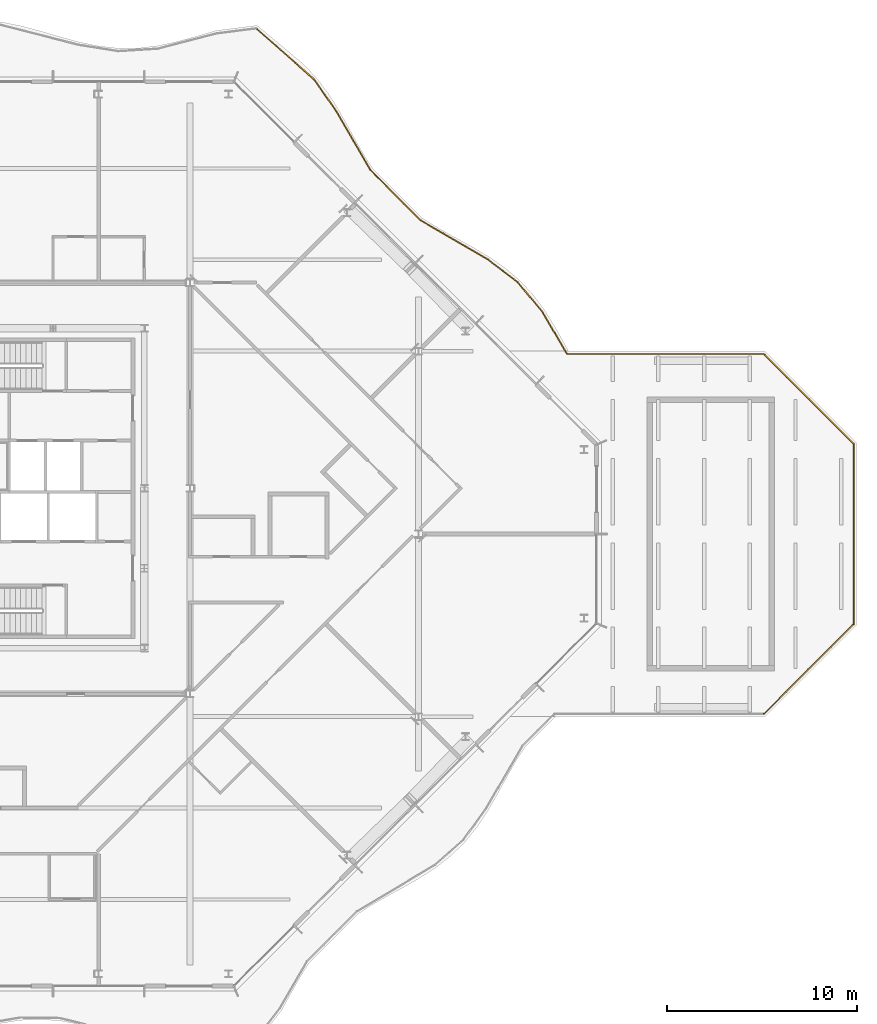
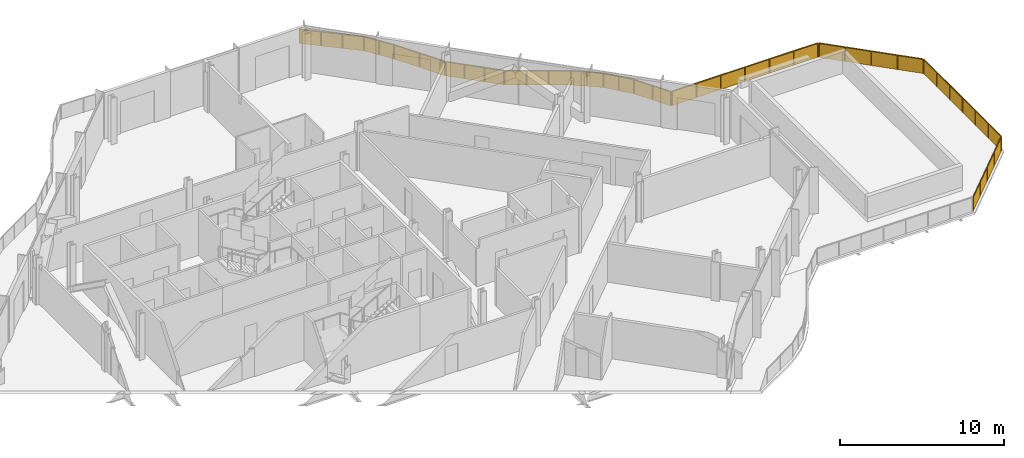
# One storey, part 16 of 16: 5 railings.
"""IFC4 building model written with IfcOpenShell, lengths in metres."""

from ifc_helpers import new_model, si_unit, direction, frame, origin, origin_2d, place, context, subcontext, project, spatial, polyline, rectangle, outline, extrude, material, type_object, element, save


model = new_model("IFC4")

# Units and contexts
model_context = context("Model", 3, precision=1e-05, world=origin(), true_north=direction((0.0, 1.0)))
body_context = subcontext(model_context, "Body", "Model", "MODEL_VIEW")
ifc_project = project(units=[si_unit("LENGTHUNIT", "METRE"), si_unit("AREAUNIT", "SQUARE_METRE"), si_unit("VOLUMEUNIT", "CUBIC_METRE"), si_unit("PLANEANGLEUNIT", "RADIAN"), si_unit("MASSUNIT", "GRAM", prefix="KILO")], contexts=[model_context])

# Site, building, storey
site_placement = place(None, origin())
site = spatial("IfcSite", under=ifc_project, at=site_placement, CompositionType="ELEMENT")
building_placement = place(site_placement, origin())
building = spatial("IfcBuilding", under=site, at=building_placement, Name="Cairn Pilgrim Tower", CompositionType="ELEMENT")
storey_placement = place(building_placement, frame((0.0, 0.0, 267.0)))
storey = spatial("IfcBuildingStorey", under=building, at=storey_placement, Name="L68", CompositionType="ELEMENT", Elevation=267.0)

# Railings
ifc_material = material(Name="Bronze anodised aluminium rail and posts with laminated glass infill", Category="aluminium")
railing_type = type_object("IfcRailingType", Name="BALCONY GUARD 1100", PredefinedType="GUARDRAIL", material=ifc_material)
railing_1_placement = place(storey_placement, frame((54.050048828125, 4.73779296875, 0.0)))
element("IfcRailing", 1, at=railing_1_placement, inside=storey, type_object=railing_type, Name="Balcony guard BG-1", PredefinedType="GUARDRAIL", context=body_context, shape_type="SweptSolid", body=[
    extrude(rectangle(XDim=0.050048828125, YDim=0.050048828125, at=origin_2d()), frame((0.0, 0.0, 1.0751953125), z_axis=(-0.707106781187, 0.707106781187, 0.0), x_axis=(-0.707106781187, -0.707106781187, 0.0)), (0.0, 0.0, 1.0), 6.60400390625),
    extrude(rectangle(XDim=0.050048828125, YDim=0.050048828125, at=origin_2d()), origin(), (0.0, 0.0, 1.0), 1.050048828125),
    extrude(rectangle(XDim=0.050048828125, YDim=0.050048828125, at=origin_2d()), frame((-1.16748046875, 1.16748046875, 0.0)), (0.0, 0.0, 1.0), 1.050048828125),
    extrude(rectangle(XDim=0.050048828125, YDim=0.050048828125, at=origin_2d()), frame((-2.3349609375, 2.3349609375, 0.0)), (0.0, 0.0, 1.0), 1.050048828125),
    extrude(rectangle(XDim=0.050048828125, YDim=0.050048828125, at=origin_2d()), frame((-3.502197265625, 3.502197265625, 0.0)), (0.0, 0.0, 1.0), 1.050048828125),
    extrude(rectangle(XDim=0.050048828125, YDim=0.050048828125, at=origin_2d()), frame((-4.669677734375, 4.669677734375, 0.0)), (0.0, 0.0, 1.0), 1.050048828125),
    extrude(outline(polyline([(0.02490234375, 0.0), (1.6259765625, 0.0), (1.6259765625, 1.050048828125), (0.02490234375, 1.050048828125), (0.02490234375, 0.0)])), frame((-0.004150390625, -0.004150390625, 0.0), z_axis=(0.707106781187, 0.707106781187, 0.0), x_axis=(-0.707106781187, 0.707106781187, 0.0)), (0.0, 0.0, 1.0), 0.011962890625),
    extrude(outline(polyline([(0.02490234375, 0.0), (1.6259765625, 0.0), (1.6259765625, 1.050048828125), (0.02490234375, 1.050048828125), (0.02490234375, 0.0)])), frame((-1.171630859375, 1.1630859375, 0.0), z_axis=(0.707106781187, 0.707106781187, 0.0), x_axis=(-0.707106781187, 0.707106781187, 0.0)), (0.0, 0.0, 1.0), 0.011962890625),
    extrude(outline(polyline([(0.02490234375, 0.0), (1.6259765625, 0.0), (1.6259765625, 1.050048828125), (0.02490234375, 1.050048828125), (0.02490234375, 0.0)])), frame((-2.339111328125, 2.33056640625, 0.0), z_axis=(0.707106781187, 0.707106781187, 0.0), x_axis=(-0.707106781187, 0.707106781187, 0.0)), (0.0, 0.0, 1.0), 0.011962890625),
    extrude(outline(polyline([(0.02490234375, 0.0), (1.6259765625, 0.0), (1.6259765625, 1.050048828125), (0.02490234375, 1.050048828125), (0.02490234375, 0.0)])), frame((-3.506591796875, 3.498046875, 0.0), z_axis=(0.707106781187, 0.707106781187, 0.0), x_axis=(-0.707106781187, 0.707106781187, 0.0)), (0.0, 0.0, 1.0), 0.011962890625),
])
railing_2_placement = place(storey_placement, frame((49.337890625, 9.449951171875, 0.0)))
element("IfcRailing", 2, at=railing_2_placement, inside=storey, type_object=railing_type, Name="Balcony guard BG-2", PredefinedType="GUARDRAIL", context=body_context, shape_type="SweptSolid", body=[
    extrude(rectangle(XDim=0.050048828125, YDim=0.050048828125, at=origin_2d()), frame((0.0, 0.0, 1.0751953125), z_axis=(-1.0, 0.0, 0.0), x_axis=(0.0, -1.0, 0.0)), (0.0, 0.0, 1.0), 10.279541015625),
    extrude(rectangle(XDim=0.050048828125, YDim=0.050048828125, at=origin_2d()), origin(), (0.0, 0.0, 1.0), 1.050048828125),
    extrude(rectangle(XDim=0.050048828125, YDim=0.050048828125, at=origin_2d()), frame((-1.71337890625, 0.0, 0.0)), (0.0, 0.0, 1.0), 1.050048828125),
    extrude(rectangle(XDim=0.050048828125, YDim=0.050048828125, at=origin_2d()), frame((-3.426513671875, 0.0, 0.0)), (0.0, 0.0, 1.0), 1.050048828125),
    extrude(rectangle(XDim=0.050048828125, YDim=0.050048828125, at=origin_2d()), frame((-5.1396484375, 0.0, 0.0)), (0.0, 0.0, 1.0), 1.050048828125),
    extrude(rectangle(XDim=0.050048828125, YDim=0.050048828125, at=origin_2d()), frame((-6.85302734375, 0.0, 0.0)), (0.0, 0.0, 1.0), 1.050048828125),
    extrude(rectangle(XDim=0.050048828125, YDim=0.050048828125, at=origin_2d()), frame((-8.56640625, 0.0, 0.0)), (0.0, 0.0, 1.0), 1.050048828125),
    extrude(rectangle(XDim=0.050048828125, YDim=0.050048828125, at=origin_2d()), frame((-10.279541015625, 0.0, 0.0)), (0.0, 0.0, 1.0), 1.050048828125),
    extrude(outline(polyline([(0.02490234375, 0.0), (1.688232421875, 0.0), (1.688232421875, 1.050048828125), (0.02490234375, 1.050048828125), (0.02490234375, 0.0)])), frame((0.0, -0.005859375, 0.0), z_axis=(0.0, 1.0, 0.0), x_axis=(-1.0, 0.0, 0.0)), (0.0, 0.0, 1.0), 0.011962890625),
    extrude(outline(polyline([(0.02490234375, 0.0), (1.688232421875, 0.0), (1.688232421875, 1.050048828125), (0.02490234375, 1.050048828125), (0.02490234375, 0.0)])), frame((-1.71337890625, -0.005859375, 0.0), z_axis=(0.0, 1.0, 0.0), x_axis=(-1.0, 0.0, 0.0)), (0.0, 0.0, 1.0), 0.011962890625),
    extrude(outline(polyline([(0.02490234375, 0.0), (1.688232421875, 0.0), (1.688232421875, 1.050048828125), (0.02490234375, 1.050048828125), (0.02490234375, 0.0)])), frame((-3.426513671875, -0.005859375, 0.0), z_axis=(0.0, 1.0, 0.0), x_axis=(-1.0, 0.0, 0.0)), (0.0, 0.0, 1.0), 0.011962890625),
    extrude(outline(polyline([(0.02490234375, 0.0), (1.688232421875, 0.0), (1.688232421875, 1.050048828125), (0.02490234375, 1.050048828125), (0.02490234375, 0.0)])), frame((-5.1396484375, -0.005859375, 0.0), z_axis=(0.0, 1.0, 0.0), x_axis=(-1.0, 0.0, 0.0)), (0.0, 0.0, 1.0), 0.011962890625),
    extrude(outline(polyline([(0.02490234375, 0.0), (1.688232421875, 0.0), (1.688232421875, 1.050048828125), (0.02490234375, 1.050048828125), (0.02490234375, 0.0)])), frame((-6.85302734375, -0.005859375, 0.0), z_axis=(0.0, 1.0, 0.0), x_axis=(-1.0, 0.0, 0.0)), (0.0, 0.0, 1.0), 0.011962890625),
    extrude(outline(polyline([(0.02490234375, 0.0), (1.688232421875, 0.0), (1.688232421875, 1.050048828125), (0.02490234375, 1.050048828125), (0.02490234375, 0.0)])), frame((-8.56640625, -0.005859375, 0.0), z_axis=(0.0, 1.0, 0.0), x_axis=(-1.0, 0.0, 0.0)), (0.0, 0.0, 1.0), 0.011962890625),
])
railing_3_placement = place(storey_placement, frame((38.99853515625, 9.449951171875, 0.0)))
element("IfcRailing", 3, at=railing_3_placement, inside=storey, type_object=railing_type, Name="Balcony guard BG-3", PredefinedType="GUARDRAIL", context=body_context, shape_type="SweptSolid", body=[
    extrude(rectangle(XDim=0.050048828125, YDim=0.050048828125, at=origin_2d()), frame((0.0, 0.0, 1.0751953125), z_axis=(-0.504668465942, 0.863313233701, 0.0), x_axis=(-0.863313233701, -0.504668465942, 0.0)), (0.0, 0.0, 1.0), 2.588134765625),
    extrude(rectangle(XDim=0.050048828125, YDim=0.050048828125, at=origin_2d()), frame((-1.30615234375, 2.234375, 1.0751953125), z_axis=(-0.641703489204, 0.766952822501, 0.0), x_axis=(-0.766952822501, -0.641703489204, 0.0)), (0.0, 0.0, 1.0), 1.990234375),
    extrude(rectangle(XDim=0.050048828125, YDim=0.050048828125, at=origin_2d()), frame((-2.583251953125, 3.7607421875, 1.0751953125), z_axis=(-0.793086058084, 0.609109599721, 0.0), x_axis=(-0.609109599721, -0.793086058084, 0.0)), (0.0, 0.0, 1.0), 2.00244140625),
    extrude(rectangle(XDim=0.050048828125, YDim=0.050048828125, at=origin_2d()), frame((-4.17138671875, 4.98046875, 1.0751953125), z_axis=(-0.864563090985, 0.502524289668, 0.0), x_axis=(-0.502524289668, -0.864563090985, 0.0)), (0.0, 0.0, 1.0), 4.0595703125),
    extrude(rectangle(XDim=0.050048828125, YDim=0.050048828125, at=origin_2d()), frame((-7.68115234375, 7.0205078125, 1.0751953125), z_axis=(-0.707106781187, 0.707106781187, 0.0), x_axis=(-0.707106781187, -0.707106781187, 0.0)), (0.0, 0.0, 1.0), 3.74267578125),
    extrude(rectangle(XDim=0.050048828125, YDim=0.050048828125, at=origin_2d()), frame((-10.32763671875, 9.6669921875, 1.0751953125), z_axis=(-0.502155279493, 0.864777471536, 0.0), x_axis=(-0.864777471536, -0.502155279493, 0.0)), (0.0, 0.0, 1.0), 3.576416015625),
    extrude(rectangle(XDim=0.050048828125, YDim=0.050048828125, at=origin_2d()), frame((-12.12353515625, 12.759765625, 1.0751953125), z_axis=(-0.571383257002, 0.820683357708, 0.0), x_axis=(-0.820683357708, -0.571383257002, 0.0)), (0.0, 0.0, 1.0), 2.019287109375),
    extrude(rectangle(XDim=0.050048828125, YDim=0.050048828125, at=origin_2d()), frame((-13.27734375, 14.4169921875, 1.0751953125), z_axis=(-0.749682987935, 0.661797112112, 0.0), x_axis=(-0.661797112112, -0.749682987935, 0.0)), (0.0, 0.0, 1.0), 4.0029296875),
    extrude(rectangle(XDim=0.050048828125, YDim=0.050048828125, at=origin_2d()), origin(), (0.0, 0.0, 1.0), 1.050048828125),
    extrude(rectangle(XDim=0.050048828125, YDim=0.050048828125, at=origin_2d()), frame((-0.653076171875, 1.1171875, 0.0)), (0.0, 0.0, 1.0), 1.050048828125),
    extrude(rectangle(XDim=0.050048828125, YDim=0.050048828125, at=origin_2d()), frame((-1.30615234375, 2.234375, 0.0)), (0.0, 0.0, 1.0), 1.050048828125),
    extrude(rectangle(XDim=0.050048828125, YDim=0.050048828125, at=origin_2d()), frame((-1.94482421875, 2.99755859375, 0.0)), (0.0, 0.0, 1.0), 1.050048828125),
    extrude(rectangle(XDim=0.050048828125, YDim=0.050048828125, at=origin_2d()), frame((-2.583251953125, 3.7607421875, 0.0)), (0.0, 0.0, 1.0), 1.050048828125),
    extrude(rectangle(XDim=0.050048828125, YDim=0.050048828125, at=origin_2d()), frame((-3.37744140625, 4.37060546875, 0.0)), (0.0, 0.0, 1.0), 1.050048828125),
    extrude(rectangle(XDim=0.050048828125, YDim=0.050048828125, at=origin_2d()), frame((-4.17138671875, 4.98046875, 0.0)), (0.0, 0.0, 1.0), 1.050048828125),
    extrude(rectangle(XDim=0.050048828125, YDim=0.050048828125, at=origin_2d()), frame((-5.34130859375, 5.660400390625, 0.0)), (0.0, 0.0, 1.0), 1.050048828125),
    extrude(rectangle(XDim=0.050048828125, YDim=0.050048828125, at=origin_2d()), frame((-6.51123046875, 6.340576171875, 0.0)), (0.0, 0.0, 1.0), 1.050048828125),
    extrude(rectangle(XDim=0.050048828125, YDim=0.050048828125, at=origin_2d()), frame((-7.68115234375, 7.0205078125, 0.0)), (0.0, 0.0, 1.0), 1.050048828125),
    extrude(rectangle(XDim=0.050048828125, YDim=0.050048828125, at=origin_2d()), frame((-8.563232421875, 7.902587890625, 0.0)), (0.0, 0.0, 1.0), 1.050048828125),
    extrude(rectangle(XDim=0.050048828125, YDim=0.050048828125, at=origin_2d()), frame((-9.445556640625, 8.784912109375, 0.0)), (0.0, 0.0, 1.0), 1.050048828125),
    extrude(rectangle(XDim=0.050048828125, YDim=0.050048828125, at=origin_2d()), frame((-10.32763671875, 9.6669921875, 0.0)), (0.0, 0.0, 1.0), 1.050048828125),
    extrude(rectangle(XDim=0.050048828125, YDim=0.050048828125, at=origin_2d()), frame((-11.2255859375, 11.21337890625, 0.0)), (0.0, 0.0, 1.0), 1.050048828125),
    extrude(rectangle(XDim=0.050048828125, YDim=0.050048828125, at=origin_2d()), frame((-12.12353515625, 12.759765625, 0.0)), (0.0, 0.0, 1.0), 1.050048828125),
    extrude(rectangle(XDim=0.050048828125, YDim=0.050048828125, at=origin_2d()), frame((-12.700439453125, 13.58837890625, 0.0)), (0.0, 0.0, 1.0), 1.050048828125),
    extrude(rectangle(XDim=0.050048828125, YDim=0.050048828125, at=origin_2d()), frame((-13.27734375, 14.4169921875, 0.0)), (0.0, 0.0, 1.0), 1.050048828125),
    extrude(rectangle(XDim=0.050048828125, YDim=0.050048828125, at=origin_2d()), frame((-14.277587890625, 15.300048828125, 0.0)), (0.0, 0.0, 1.0), 1.050048828125),
    extrude(rectangle(XDim=0.050048828125, YDim=0.050048828125, at=origin_2d()), frame((-15.278076171875, 16.18310546875, 0.0)), (0.0, 0.0, 1.0), 1.050048828125),
    extrude(rectangle(XDim=0.050048828125, YDim=0.050048828125, at=origin_2d()), frame((-16.2783203125, 17.066162109375, 0.0)), (0.0, 0.0, 1.0), 1.050048828125),
    extrude(outline(polyline([(0.02490234375, 0.0), (1.26904296875, 0.0), (1.26904296875, 1.050048828125), (0.02490234375, 1.050048828125), (0.02490234375, 0.0)])), frame((-0.005126953125, -0.0029296875, 0.0), z_axis=(0.863313233701, 0.504668465942, 0.0), x_axis=(-0.504668465942, 0.863313233701, 0.0)), (0.0, 0.0, 1.0), 0.011962890625),
    extrude(outline(polyline([(0.02490234375, 0.0), (1.26904296875, 0.0), (1.26904296875, 1.050048828125), (0.02490234375, 1.050048828125), (0.02490234375, 0.0)])), frame((-0.658203125, 1.1142578125, 0.0), z_axis=(0.863313233701, 0.504668465942, 0.0), x_axis=(-0.504668465942, 0.863313233701, 0.0)), (0.0, 0.0, 1.0), 0.011962890625),
    extrude(outline(polyline([(0.02490234375, 0.0), (0.969970703125, 0.0), (0.969970703125, 1.050048828125), (0.02490234375, 1.050048828125), (0.02490234375, 0.0)])), frame((-1.310791015625, 2.23046875, 0.0), z_axis=(0.766952822501, 0.641703489204, 0.0), x_axis=(-0.641703489204, 0.766952822501, 0.0)), (0.0, 0.0, 1.0), 0.011962890625),
    extrude(outline(polyline([(0.02490234375, 0.0), (0.969970703125, 0.0), (0.969970703125, 1.050048828125), (0.02490234375, 1.050048828125), (0.02490234375, 0.0)])), frame((-1.94921875, 2.99365234375, 0.0), z_axis=(0.766952822501, 0.641703489204, 0.0), x_axis=(-0.641703489204, 0.766952822501, 0.0)), (0.0, 0.0, 1.0), 0.011962890625),
    extrude(outline(polyline([(0.02490234375, 0.0), (0.976318359375, 0.0), (0.976318359375, 1.050048828125), (0.02490234375, 1.050048828125), (0.02490234375, 0.0)])), frame((-2.5869140625, 3.756103515625, 0.0), z_axis=(0.609109599721, 0.793086058084, 0.0), x_axis=(-0.793086058084, 0.609109599721, 0.0)), (0.0, 0.0, 1.0), 0.011962890625),
    extrude(outline(polyline([(0.02490234375, 0.0), (0.976318359375, 0.0), (0.976318359375, 1.050048828125), (0.02490234375, 1.050048828125), (0.02490234375, 0.0)])), frame((-3.380859375, 4.365966796875, 0.0), z_axis=(0.609109599721, 0.793086058084, 0.0), x_axis=(-0.793086058084, 0.609109599721, 0.0)), (0.0, 0.0, 1.0), 0.011962890625),
    extrude(outline(polyline([(0.02490234375, 0.0), (1.328125, 0.0), (1.328125, 1.050048828125), (0.02490234375, 1.050048828125), (0.02490234375, 0.0)])), frame((-4.17431640625, 4.975341796875, 0.0), z_axis=(0.502524289668, 0.864563090985, 0.0), x_axis=(-0.864563090985, 0.502524289668, 0.0)), (0.0, 0.0, 1.0), 0.011962890625),
    extrude(outline(polyline([(0.02490234375, 0.0), (1.328125, 0.0), (1.328125, 1.050048828125), (0.02490234375, 1.050048828125), (0.02490234375, 0.0)])), frame((-5.34423828125, 5.6552734375, 0.0), z_axis=(0.502524289668, 0.864563090985, 0.0), x_axis=(-0.864563090985, 0.502524289668, 0.0)), (0.0, 0.0, 1.0), 0.011962890625),
    extrude(outline(polyline([(0.02490234375, 0.0), (1.328125, 0.0), (1.328125, 1.050048828125), (0.02490234375, 1.050048828125), (0.02490234375, 0.0)])), frame((-6.51416015625, 6.335205078125, 0.0), z_axis=(0.502524289668, 0.864563090985, 0.0), x_axis=(-0.864563090985, 0.502524289668, 0.0)), (0.0, 0.0, 1.0), 0.011962890625),
    extrude(outline(polyline([(0.02490234375, 0.0), (1.22265625, 0.0), (1.22265625, 1.050048828125), (0.02490234375, 1.050048828125), (0.02490234375, 0.0)])), frame((-7.685302734375, 7.016357421875, 0.0), z_axis=(0.707106781187, 0.707106781187, 0.0), x_axis=(-0.707106781187, 0.707106781187, 0.0)), (0.0, 0.0, 1.0), 0.011962890625),
    extrude(outline(polyline([(0.02490234375, 0.0), (1.22265625, 0.0), (1.22265625, 1.050048828125), (0.02490234375, 1.050048828125), (0.02490234375, 0.0)])), frame((-8.567626953125, 7.8984375, 0.0), z_axis=(0.707106781187, 0.707106781187, 0.0), x_axis=(-0.707106781187, 0.707106781187, 0.0)), (0.0, 0.0, 1.0), 0.011962890625),
    extrude(outline(polyline([(0.02490234375, 0.0), (1.22265625, 0.0), (1.22265625, 1.050048828125), (0.02490234375, 1.050048828125), (0.02490234375, 0.0)])), frame((-9.44970703125, 8.780517578125, 0.0), z_axis=(0.707106781187, 0.707106781187, 0.0), x_axis=(-0.707106781187, 0.707106781187, 0.0)), (0.0, 0.0, 1.0), 0.011962890625),
    extrude(outline(polyline([(0.02490234375, 0.0), (1.76318359375, 0.0), (1.76318359375, 1.050048828125), (0.02490234375, 1.050048828125), (0.02490234375, 0.0)])), frame((-10.332763671875, 9.6640625, 0.0), z_axis=(0.864777471536, 0.502155279493, 0.0), x_axis=(-0.502155279493, 0.864777471536, 0.0)), (0.0, 0.0, 1.0), 0.011962890625),
    extrude(outline(polyline([(0.02490234375, 0.0), (1.76318359375, 0.0), (1.76318359375, 1.050048828125), (0.02490234375, 1.050048828125), (0.02490234375, 0.0)])), frame((-11.230712890625, 11.21044921875, 0.0), z_axis=(0.864777471536, 0.502155279493, 0.0), x_axis=(-0.502155279493, 0.864777471536, 0.0)), (0.0, 0.0, 1.0), 0.011962890625),
    extrude(outline(polyline([(0.02490234375, 0.0), (0.984619140625, 0.0), (0.984619140625, 1.050048828125), (0.02490234375, 1.050048828125), (0.02490234375, 0.0)])), frame((-12.12841796875, 12.75634765625, 0.0), z_axis=(0.820683357708, 0.571383257002, 0.0), x_axis=(-0.571383257002, 0.820683357708, 0.0)), (0.0, 0.0, 1.0), 0.011962890625),
    extrude(outline(polyline([(0.02490234375, 0.0), (0.984619140625, 0.0), (0.984619140625, 1.050048828125), (0.02490234375, 1.050048828125), (0.02490234375, 0.0)])), frame((-12.705322265625, 13.5849609375, 0.0), z_axis=(0.820683357708, 0.571383257002, 0.0), x_axis=(-0.571383257002, 0.820683357708, 0.0)), (0.0, 0.0, 1.0), 0.011962890625),
    extrude(outline(polyline([(0.02490234375, 0.0), (1.309326171875, 0.0), (1.309326171875, 1.050048828125), (0.02490234375, 1.050048828125), (0.02490234375, 0.0)])), frame((-13.28125, 14.41259765625, 0.0), z_axis=(0.661797112112, 0.749682987935, 0.0), x_axis=(-0.749682987935, 0.661797112112, 0.0)), (0.0, 0.0, 1.0), 0.011962890625),
    extrude(outline(polyline([(0.02490234375, 0.0), (1.309326171875, 0.0), (1.309326171875, 1.050048828125), (0.02490234375, 1.050048828125), (0.02490234375, 0.0)])), frame((-14.28173828125, 15.295654296875, 0.0), z_axis=(0.661797112112, 0.749682987935, 0.0), x_axis=(-0.749682987935, 0.661797112112, 0.0)), (0.0, 0.0, 1.0), 0.011962890625),
    extrude(outline(polyline([(0.02490234375, 0.0), (1.309326171875, 0.0), (1.309326171875, 1.050048828125), (0.02490234375, 1.050048828125), (0.02490234375, 0.0)])), frame((-15.281982421875, 16.1787109375, 0.0), z_axis=(0.661797112112, 0.749682987935, 0.0), x_axis=(-0.749682987935, 0.661797112112, 0.0)), (0.0, 0.0, 1.0), 0.011962890625),
])
railing_4_placement = place(storey_placement, frame((49.337890625, -9.449951171875, 0.0)))
element("IfcRailing", 4, at=railing_4_placement, inside=storey, type_object=railing_type, Name="Balcony guard BG-14", PredefinedType="GUARDRAIL", context=body_context, shape_type="SweptSolid", body=[
    extrude(rectangle(XDim=0.050048828125, YDim=0.050048828125, at=origin_2d()), frame((0.0, 0.0, 1.0751953125), z_axis=(0.707106781187, 0.707106781187, 0.0), x_axis=(-0.707106781187, 0.707106781187, 0.0)), (0.0, 0.0, 1.0), 6.60400390625),
    extrude(rectangle(XDim=0.050048828125, YDim=0.050048828125, at=origin_2d()), origin(), (0.0, 0.0, 1.0), 1.050048828125),
    extrude(rectangle(XDim=0.050048828125, YDim=0.050048828125, at=origin_2d()), frame((1.16748046875, 1.16748046875, 0.0)), (0.0, 0.0, 1.0), 1.050048828125),
    extrude(rectangle(XDim=0.050048828125, YDim=0.050048828125, at=origin_2d()), frame((2.3349609375, 2.3349609375, 0.0)), (0.0, 0.0, 1.0), 1.050048828125),
    extrude(rectangle(XDim=0.050048828125, YDim=0.050048828125, at=origin_2d()), frame((3.502197265625, 3.502197265625, 0.0)), (0.0, 0.0, 1.0), 1.050048828125),
    extrude(rectangle(XDim=0.050048828125, YDim=0.050048828125, at=origin_2d()), frame((4.669677734375, 4.669677734375, 0.0)), (0.0, 0.0, 1.0), 1.050048828125),
    extrude(outline(polyline([(0.02490234375, 0.0), (1.6259765625, 0.0), (1.6259765625, 1.050048828125), (0.02490234375, 1.050048828125), (0.02490234375, 0.0)])), frame((-0.004150390625, 0.004150390625, 0.0), z_axis=(0.707106781187, -0.707106781187, 0.0), x_axis=(0.707106781187, 0.707106781187, 0.0)), (0.0, 0.0, 1.0), 0.011962890625),
    extrude(outline(polyline([(0.02490234375, 0.0), (1.6259765625, 0.0), (1.6259765625, 1.050048828125), (0.02490234375, 1.050048828125), (0.02490234375, 0.0)])), frame((1.1630859375, 1.171630859375, 0.0), z_axis=(0.707106781187, -0.707106781187, 0.0), x_axis=(0.707106781187, 0.707106781187, 0.0)), (0.0, 0.0, 1.0), 0.011962890625),
    extrude(outline(polyline([(0.02490234375, 0.0), (1.6259765625, 0.0), (1.6259765625, 1.050048828125), (0.02490234375, 1.050048828125), (0.02490234375, 0.0)])), frame((2.33056640625, 2.339111328125, 0.0), z_axis=(0.707106781187, -0.707106781187, 0.0), x_axis=(0.707106781187, 0.707106781187, 0.0)), (0.0, 0.0, 1.0), 0.011962890625),
    extrude(outline(polyline([(0.02490234375, 0.0), (1.6259765625, 0.0), (1.6259765625, 1.050048828125), (0.02490234375, 1.050048828125), (0.02490234375, 0.0)])), frame((3.498046875, 3.506591796875, 0.0), z_axis=(0.707106781187, -0.707106781187, 0.0), x_axis=(0.707106781187, 0.707106781187, 0.0)), (0.0, 0.0, 1.0), 0.011962890625),
])
railing_5_placement = place(storey_placement, frame((54.050048828125, -4.73779296875, 0.0)))
element("IfcRailing", 5, at=railing_5_placement, inside=storey, type_object=railing_type, Name="Balcony guard BG-15", PredefinedType="GUARDRAIL", context=body_context, shape_type="SweptSolid", body=[
    extrude(rectangle(XDim=0.050048828125, YDim=0.050048828125, at=origin_2d()), frame((0.0, 0.0, 1.0751953125), z_axis=(0.0, 1.0, 0.0), x_axis=(-1.0, 0.0, 0.0)), (0.0, 0.0, 1.0), 9.415771484375),
    extrude(rectangle(XDim=0.050048828125, YDim=0.050048828125, at=origin_2d()), origin(), (0.0, 0.0, 1.0), 1.050048828125),
    extrude(rectangle(XDim=0.050048828125, YDim=0.050048828125, at=origin_2d()), frame((0.0, 1.5693359375, 0.0)), (0.0, 0.0, 1.0), 1.050048828125),
    extrude(rectangle(XDim=0.050048828125, YDim=0.050048828125, at=origin_2d()), frame((0.0, 3.138671875, 0.0)), (0.0, 0.0, 1.0), 1.050048828125),
    extrude(rectangle(XDim=0.050048828125, YDim=0.050048828125, at=origin_2d()), frame((0.0, 4.7080078125, 0.0)), (0.0, 0.0, 1.0), 1.050048828125),
    extrude(rectangle(XDim=0.050048828125, YDim=0.050048828125, at=origin_2d()), frame((0.0, 6.277099609375, 0.0)), (0.0, 0.0, 1.0), 1.050048828125),
    extrude(rectangle(XDim=0.050048828125, YDim=0.050048828125, at=origin_2d()), frame((0.0, 7.846435546875, 0.0)), (0.0, 0.0, 1.0), 1.050048828125),
    extrude(rectangle(XDim=0.050048828125, YDim=0.050048828125, at=origin_2d()), frame((0.0, 9.415771484375, 0.0)), (0.0, 0.0, 1.0), 1.050048828125),
    extrude(outline(polyline([(0.02490234375, 0.0), (1.544189453125, 0.0), (1.544189453125, 1.050048828125), (0.02490234375, 1.050048828125), (0.02490234375, 0.0)])), frame((-0.005859375, 0.0, 0.0), z_axis=(1.0, 0.0, 0.0), x_axis=(0.0, 1.0, 0.0)), (0.0, 0.0, 1.0), 0.011962890625),
    extrude(outline(polyline([(0.02490234375, 0.0), (1.544189453125, 0.0), (1.544189453125, 1.050048828125), (0.02490234375, 1.050048828125), (0.02490234375, 0.0)])), frame((-0.005859375, 1.5693359375, 0.0), z_axis=(1.0, 0.0, 0.0), x_axis=(0.0, 1.0, 0.0)), (0.0, 0.0, 1.0), 0.011962890625),
    extrude(outline(polyline([(0.02490234375, 0.0), (1.544189453125, 0.0), (1.544189453125, 1.050048828125), (0.02490234375, 1.050048828125), (0.02490234375, 0.0)])), frame((-0.005859375, 3.138671875, 0.0), z_axis=(1.0, 0.0, 0.0), x_axis=(0.0, 1.0, 0.0)), (0.0, 0.0, 1.0), 0.011962890625),
    extrude(outline(polyline([(0.02490234375, 0.0), (1.544189453125, 0.0), (1.544189453125, 1.050048828125), (0.02490234375, 1.050048828125), (0.02490234375, 0.0)])), frame((-0.005859375, 4.7080078125, 0.0), z_axis=(1.0, 0.0, 0.0), x_axis=(0.0, 1.0, 0.0)), (0.0, 0.0, 1.0), 0.011962890625),
    extrude(outline(polyline([(0.02490234375, 0.0), (1.544189453125, 0.0), (1.544189453125, 1.050048828125), (0.02490234375, 1.050048828125), (0.02490234375, 0.0)])), frame((-0.005859375, 6.277099609375, 0.0), z_axis=(1.0, 0.0, 0.0), x_axis=(0.0, 1.0, 0.0)), (0.0, 0.0, 1.0), 0.011962890625),
    extrude(outline(polyline([(0.02490234375, 0.0), (1.544189453125, 0.0), (1.544189453125, 1.050048828125), (0.02490234375, 1.050048828125), (0.02490234375, 0.0)])), frame((-0.005859375, 7.846435546875, 0.0), z_axis=(1.0, 0.0, 0.0), x_axis=(0.0, 1.0, 0.0)), (0.0, 0.0, 1.0), 0.011962890625),
])

save(model, "model.ifc")
